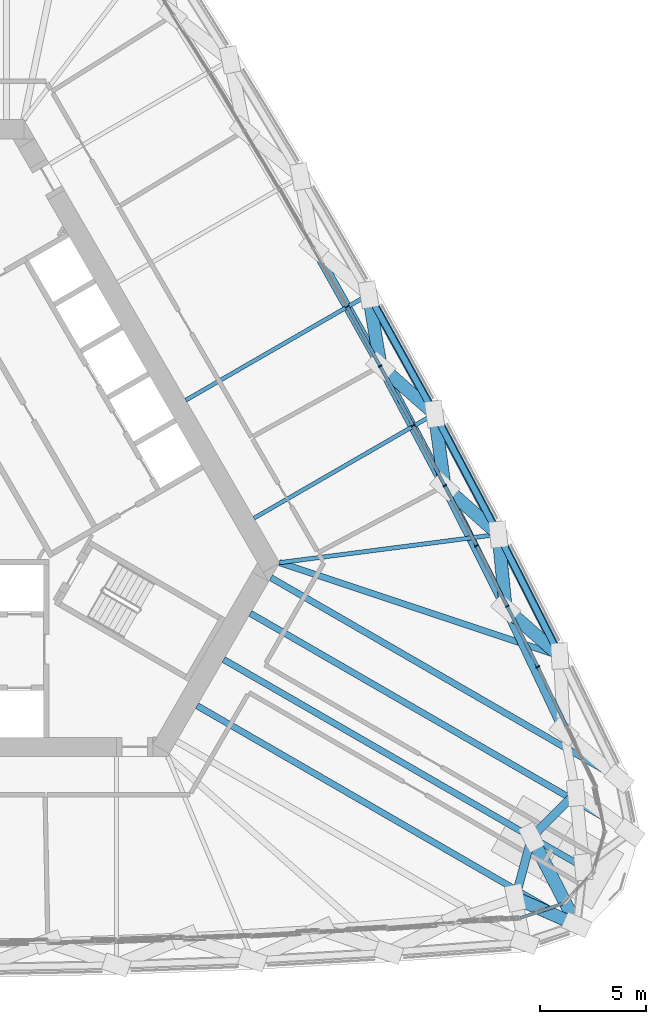
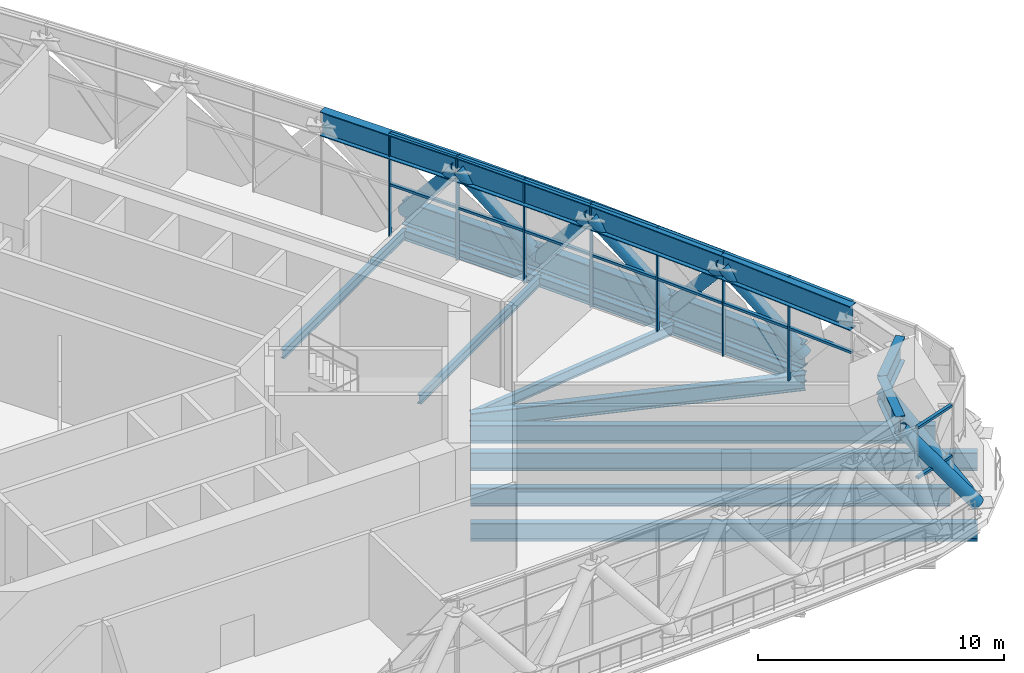
# One storey, part 6 of 43: 40 members, 11 beams, 2 elements without a shape of their own.
"""IFC4 building model written with IfcOpenShell, lengths in metres."""

from ifc_helpers import new_model, si_unit, direction, frame, origin, origin_2d, place, context, subcontext, project, spatial, rectangle, hollow_circle, i_section, extrude, material, material_profile, profile_set, type_object, element, aggregate, save


model = new_model("IFC4")

# Units and contexts
model_context = context("Model", 3, precision=1e-05, world=origin(), true_north=direction((0.0, 1.0)))
body_context = subcontext(model_context, "Body", "Model", "MODEL_VIEW")
ifc_project = project(units=[si_unit("LENGTHUNIT", "METRE"), si_unit("AREAUNIT", "SQUARE_METRE"), si_unit("VOLUMEUNIT", "CUBIC_METRE"), si_unit("PLANEANGLEUNIT", "RADIAN"), si_unit("MASSUNIT", "GRAM", prefix="KILO")], contexts=[model_context])

# Site, building, storey
site_placement = place(None, origin())
site = spatial("IfcSite", under=ifc_project, at=site_placement, CompositionType="ELEMENT")
building_placement = place(site_placement, origin())
building = spatial("IfcBuilding", under=site, at=building_placement, Name="Mestral Congress Tower", CompositionType="ELEMENT")
storey_placement = place(building_placement, frame((0.0, 0.0, 78.300048828125)))
storey = spatial("IfcBuildingStorey", under=building, at=storey_placement, Name="L18", CompositionType="ELEMENT", Elevation=78.300048828125)

# Members
ifc_material_1 = material(Name="Steel S355", Category="steel")
ifc_material_profile_1 = material_profile(ifc_material_1, i_section(OverallWidth=0.39990234375, OverallDepth=1.199951171875, WebThickness=0.02001953125, FlangeThickness=0.0400390625, FilletRadius=0.010009765625, at=origin_2d()), Name="WPG 1200")
ifc_profile_set_1 = profile_set([ifc_material_profile_1], Name="Steel S355")
member_type_1 = type_object("IfcMemberType", Name="Belt chord WPG 1200 S355", PredefinedType="CHORD", material=ifc_profile_set_1)
member_1_placement = place(storey_placement, frame((30.421142578125, -8.28369140625, 0.599853515625), z_axis=(-0.451237351709, 0.892403973783, 0.0), x_axis=(-0.892403973783, -0.451237351709, 0.0)))
element("IfcMember", 1, at=member_1_placement, inside=storey, type_object=member_type_1, Name="MB-L18-BC1-E01", PredefinedType="CHORD", context=body_context, shape_type="SweptSolid", body=[
    extrude(i_section(OverallWidth=0.39990234375, OverallDepth=1.199951171875, WebThickness=0.02001953125, FlangeThickness=0.0400390625, FilletRadius=0.010009765625, at=origin_2d()), origin(), (0.0, 0.0, 1.0), 6.400146484375),
])
for number, where, z_axis, x_axis, name in (
    (2, (27.533203125, -2.572265625, 0.599853515625), (-0.467649333519, 0.883914080021, 0.0), (-0.883914080021, -0.467649333519, 0.0), "MB-L18-BC1-E02"),
    (3, (24.540283203125, 3.084716796875, 0.599853515625), (-0.483909115865, 0.875118259199, 0.0), (-0.875118259199, -0.483909115865, 0.0), "MB-L18-BC1-E03"),
):
    element("IfcMember", number, at=place(storey_placement, frame(where, z_axis=z_axis, x_axis=x_axis)), inside=storey, type_object=member_type_1, Name=name, PredefinedType="CHORD", context=body_context, shape_type="SweptSolid", body=[
        extrude(i_section(OverallWidth=0.39990234375, OverallDepth=1.199951171875, WebThickness=0.02001953125, FlangeThickness=0.0400390625, FilletRadius=0.010009765625, at=origin_2d()), origin(), (0.0, 0.0, 1.0), 6.39990234375),
    ])
member_2_placement = place(storey_placement, frame((28.331298828125, -19.642822265625, 4.550048828125), z_axis=(0.260071585357, 0.96558933843, 0.0), x_axis=(-0.96558933843, 0.260071585357, 0.0)))
element("IfcMember", 4, at=member_2_placement, inside=storey, type_object=member_type_1, Name="MB-L18-TC1-SE1", PredefinedType="CHORD", context=body_context, shape_type="SweptSolid", body=[
    extrude(i_section(OverallWidth=0.39990234375, OverallDepth=1.199951171875, WebThickness=0.02001953125, FlangeThickness=0.0400390625, FilletRadius=0.010009765625, at=origin_2d()), origin(), (0.0, 0.0, 1.0), 2.94482421875),
])
member_3_placement = place(storey_placement, frame((29.09716796875, -16.79931640625, 4.550048828125), z_axis=(0.706152774218, 0.708059502771, 0.0), x_axis=(-0.708059502771, 0.706152774218, 0.0)))
element("IfcMember", 5, at=member_3_placement, inside=storey, type_object=member_type_1, Name="MB-L18-TC1-SE", PredefinedType="CHORD", context=body_context, shape_type="SweptSolid", body=[
    extrude(i_section(OverallWidth=0.39990234375, OverallDepth=1.199951171875, WebThickness=0.02001953125, FlangeThickness=0.0400390625, FilletRadius=0.010009765625, at=origin_2d()), origin(), (0.0, 0.0, 1.0), 2.945068359375),
])
member_4_placement = place(storey_placement, frame((30.618896484375, -11.83935546875, 4.550048828125), z_axis=(-0.427513966881, 0.904008743388, 0.0), x_axis=(-0.904008743388, -0.427513966881, 0.0)))
element("IfcMember", 6, at=member_4_placement, inside=storey, type_object=member_type_1, Name="MB-L18-TC1-E00", PredefinedType="CHORD", context=body_context, shape_type="SweptSolid", body=[
    extrude(i_section(OverallWidth=0.39990234375, OverallDepth=1.199951171875, WebThickness=0.02001953125, FlangeThickness=0.0400390625, FilletRadius=0.010009765625, at=origin_2d()), origin(), (0.0, 0.0, 1.0), 6.39990234375),
])
member_5_placement = place(storey_placement, frame((27.8828125, -6.0537109375, 4.550048828125), z_axis=(-0.448555936264, 0.893754760571, 0.0), x_axis=(-0.893754760571, -0.448555936264, 0.0)))
element("IfcMember", 7, at=member_5_placement, inside=storey, type_object=member_type_1, Name="MB-L18-TC1-E01", PredefinedType="CHORD", context=body_context, shape_type="SweptSolid", body=[
    extrude(i_section(OverallWidth=0.39990234375, OverallDepth=1.199951171875, WebThickness=0.02001953125, FlangeThickness=0.0400390625, FilletRadius=0.010009765625, at=origin_2d()), origin(), (0.0, 0.0, 1.0), 6.399658203125),
])
for number, where, z_axis, x_axis, name in (
    (8, (25.01220703125, -0.333984375, 4.550048828125), (-0.469292819228, 0.88304260929, 0.0), (-0.88304260929, -0.469292819228, 0.0), "MB-L18-TC1-E02"),
    (9, (22.0087890625, 5.3173828125, 4.550048828125), (-0.489860914929, 0.871800598775, 0.0), (-0.871800598775, -0.489860914929, 0.0), "MB-L18-TC1-E03"),
):
    element("IfcMember", number, at=place(storey_placement, frame(where, z_axis=z_axis, x_axis=x_axis)), inside=storey, type_object=member_type_1, Name=name, PredefinedType="CHORD", context=body_context, shape_type="SweptSolid", body=[
        extrude(i_section(OverallWidth=0.39990234375, OverallDepth=1.199951171875, WebThickness=0.02001953125, FlangeThickness=0.0400390625, FilletRadius=0.010009765625, at=origin_2d()), origin(), (0.0, 0.0, 1.0), 6.39990234375),
    ])
ifc_material_profile_2 = material_profile(ifc_material_1, hollow_circle(Radius=0.304931640625, WallThickness=0.02490234375, at=origin_2d()), Name="CHS 610x25")
ifc_profile_set_2 = profile_set([ifc_material_profile_2], Name="Steel S355")
member_type_2 = type_object("IfcMemberType", Name="Belt diagonal CHS 610x25 S355", PredefinedType="BRACE", material=ifc_profile_set_2)
member_6_placement = place(storey_placement, frame((31.210205078125, -20.90966796875, 0.599853515625), z_axis=(-0.570141456474, 0.250887382772, 0.782300607679), x_axis=(-0.402772429864, -0.915300152814, 0.0)))
element("IfcMember", 10, at=member_6_placement, inside=storey, type_object=member_type_2, Name="MD-L18-BD1-SE1.SE1", PredefinedType="BRACE", context=body_context, shape_type="SweptSolid", body=[
    extrude(hollow_circle(Radius=0.304931640625, WallThickness=0.02490234375, at=origin_2d()), origin(), (0.0, 0.0, 1.0), 5.049560546875),
])
member_7_placement = place(storey_placement, frame((31.210205078125, -20.90966796875, 0.599853515625), z_axis=(-0.347550474272, 0.676066988429, 0.649724630124), x_axis=(-0.889363293595, -0.457201194231, 0.0)))
element("IfcMember", 11, at=member_7_placement, inside=storey, type_object=member_type_2, Name="MD-L18-BD1-SE1.SE", PredefinedType="BRACE", context=body_context, shape_type="SweptSolid", body=[
    extrude(hollow_circle(Radius=0.304931640625, WallThickness=0.02490234375, at=origin_2d()), origin(), (0.0, 0.0, 1.0), 6.079833984375),
])
member_8_placement = place(storey_placement, frame((30.421142578125, -8.28369140625, 0.599853515625), z_axis=(-0.488321246679, 0.429001276058, 0.759934382156), x_axis=(-0.660002170291, -0.751263692196, 0.0)))
element("IfcMember", 12, at=member_8_placement, inside=storey, type_object=member_type_2, Name="MD-L18-BD1-E01.E01", PredefinedType="BRACE", context=body_context, shape_type="SweptSolid", body=[
    extrude(hollow_circle(Radius=0.304931640625, WallThickness=0.02490234375, at=origin_2d()), origin(), (0.0, 0.0, 1.0), 5.197998046875),
])
member_9_placement = place(storey_placement, frame((27.533203125, -2.572265625, 0.599853515625), z_axis=(0.0662515371, -0.65973946861, 0.748568345169), x_axis=(0.994995653206, 0.099918217068, 0.0)))
element("IfcMember", 13, at=member_9_placement, inside=storey, type_object=member_type_2, Name="MD-L18-BD1-E02.E01", PredefinedType="BRACE", context=body_context, shape_type="SweptSolid", body=[
    extrude(hollow_circle(Radius=0.304931640625, WallThickness=0.02490234375, at=origin_2d()), origin(), (0.0, 0.0, 1.0), 5.277099609375),
])
member_10_placement = place(storey_placement, frame((27.533203125, -2.572265625, 0.599853515625), z_axis=(-0.485441380321, 0.431001992522, 0.760647059229), x_axis=(-0.663932214118, -0.747792762105, 0.0)))
element("IfcMember", 14, at=member_10_placement, inside=storey, type_object=member_type_2, Name="MD-L18-BD1-E02.E02", PredefinedType="BRACE", context=body_context, shape_type="SweptSolid", body=[
    extrude(hollow_circle(Radius=0.304931640625, WallThickness=0.02490234375, at=origin_2d()), origin(), (0.0, 0.0, 1.0), 5.193115234375),
])
member_11_placement = place(storey_placement, frame((24.540283203125, 3.084716796875, 0.599853515625), z_axis=(0.089968998586, -0.65175162297, 0.7530772877), x_axis=(0.990606264999, 0.136745119635, 0.0)))
element("IfcMember", 15, at=member_11_placement, inside=storey, type_object=member_type_2, Name="MD-L18-BD1-E03.E02", PredefinedType="BRACE", context=body_context, shape_type="SweptSolid", body=[
    extrude(hollow_circle(Radius=0.304931640625, WallThickness=0.02490234375, at=origin_2d()), origin(), (0.0, 0.0, 1.0), 5.245361328125),
])
member_12_placement = place(storey_placement, frame((24.540283203125, 3.084716796875, 0.599853515625), z_axis=(-0.487210607428, 0.429698235599, 0.760253411918), x_axis=(-0.661454164906, -0.74998559168, 0.0)))
element("IfcMember", 16, at=member_12_placement, inside=storey, type_object=member_type_2, Name="MD-L18-BD1-E03.E03", PredefinedType="BRACE", context=body_context, shape_type="SweptSolid", body=[
    extrude(hollow_circle(Radius=0.304931640625, WallThickness=0.02490234375, at=origin_2d()), origin(), (0.0, 0.0, 1.0), 5.19580078125),
])
member_13_placement = place(storey_placement, frame((21.443359375, 8.685302734375, 0.599853515625), z_axis=(0.108283630495, -0.644979569376, 0.756489266582), x_axis=(0.986198081795, 0.165569754073, 0.0)))
element("IfcMember", 17, at=member_13_placement, inside=storey, type_object=member_type_2, Name="MD-L18-BD1-E04.E03", PredefinedType="BRACE", context=body_context, shape_type="SweptSolid", body=[
    extrude(hollow_circle(Radius=0.304931640625, WallThickness=0.02490234375, at=origin_2d()), origin(), (0.0, 0.0, 1.0), 5.2216796875),
])

# Curtain wall, members
ifc_material_2 = material(Name="Clear low-emissivity double glazing", Category="glass")
curtain_wall_type = type_object("IfcCurtainWallType", Name="Facade refuge band screen", PredefinedType="USERDEFINED", material=ifc_material_2)
placement = place(storey_placement, origin())
curtain_wall_1 = element("IfcCurtainWall", 18, at=placement, inside=storey, type_object=curtain_wall_type, Name="Facade refuge band screen face 2", ObjectType="CURTAIN WALL", PredefinedType="USERDEFINED")
ifc_material_3 = material(Name="Anodised aluminium", Category="aluminium")
ifc_material_profile_3 = material_profile(ifc_material_3, rectangle(XDim=0.179931640625, YDim=0.06005859375, at=origin_2d()), Name="CW3 mullion 180 x 60")
ifc_profile_set_3 = profile_set([ifc_material_profile_3], Name="Anodised aluminium")
member_type_3 = type_object("IfcMemberType", Name="Facade refuge band screen mullion", PredefinedType="MULLION", material=ifc_profile_set_3)
member_14_placement = place(storey_placement, frame((29.389892578125, -8.793212890625, 0.0), z_axis=(0.0, 0.0, 1.0), x_axis=(0.896542101273, 0.442958531519, 0.0)))
member_14 = element("IfcMember", 19, at=member_14_placement, type_object=member_type_3, Name="Facade refuge band screen mullion", PredefinedType="MULLION", context=body_context, shape_type="SweptSolid", body=[
    extrude(rectangle(XDim=0.179931640625, YDim=0.06005859375, at=origin_2d()), origin(), (0.0, 0.0, 1.0), 5.14990234375),
])
member_15_placement = place(storey_placement, frame((27.950927734375, -5.947021484375, 0.0), z_axis=(0.0, 0.0, 1.0), x_axis=(0.892409477977, 0.451226465998, 0.0)))
member_15 = element("IfcMember", 20, at=member_15_placement, type_object=member_type_3, Name="Facade refuge band screen mullion", PredefinedType="MULLION", context=body_context, shape_type="SweptSolid", body=[
    extrude(rectangle(XDim=0.179931640625, YDim=0.06005859375, at=origin_2d()), origin(), (0.0, 0.0, 1.0), 5.14990234375),
])
member_16_placement = place(storey_placement, frame((26.51171875, -3.1005859375, 0.0), z_axis=(0.0, 0.0, 1.0), x_axis=(0.88820060961, 0.4594558489, 0.0)))
member_16 = element("IfcMember", 21, at=member_16_placement, type_object=member_type_3, Name="Facade refuge band screen mullion", PredefinedType="MULLION", context=body_context, shape_type="SweptSolid", body=[
    extrude(rectangle(XDim=0.179931640625, YDim=0.06005859375, at=origin_2d()), origin(), (0.0, 0.0, 1.0), 5.14990234375),
])
member_17_placement = place(storey_placement, frame((25.020263671875, -0.281494140625, 0.0), z_axis=(0.0, 0.0, 1.0), x_axis=(0.883915855767, 0.467645977127, 0.0)))
member_17 = element("IfcMember", 22, at=member_17_placement, type_object=member_type_3, Name="Facade refuge band screen mullion", PredefinedType="MULLION", context=body_context, shape_type="SweptSolid", body=[
    extrude(rectangle(XDim=0.179931640625, YDim=0.06005859375, at=origin_2d()), origin(), (0.0, 0.0, 1.0), 5.14990234375),
])
member_18_placement = place(storey_placement, frame((23.52880859375, 2.53759765625, 0.0), z_axis=(0.0, 0.0, 1.0), x_axis=(0.879555582526, 0.475796150937, 0.0)))
member_18 = element("IfcMember", 23, at=member_18_placement, type_object=member_type_3, Name="Facade refuge band screen mullion", PredefinedType="MULLION", context=body_context, shape_type="SweptSolid", body=[
    extrude(rectangle(XDim=0.179931640625, YDim=0.06005859375, at=origin_2d()), origin(), (0.0, 0.0, 1.0), 5.14990234375),
])
member_19_placement = place(storey_placement, frame((21.985595703125, 5.32861328125, 0.0), z_axis=(0.0, 0.0, 1.0), x_axis=(0.875120162417, 0.483905674001, 0.0)))
member_19 = element("IfcMember", 24, at=member_19_placement, type_object=member_type_3, Name="Facade refuge band screen mullion", PredefinedType="MULLION", context=body_context, shape_type="SweptSolid", body=[
    extrude(rectangle(XDim=0.179931640625, YDim=0.06005859375, at=origin_2d()), origin(), (0.0, 0.0, 1.0), 5.14990234375),
])
member_20_placement = place(storey_placement, frame((20.442138671875, 8.11962890625, 0.0), z_axis=(0.0, 0.0, 1.0), x_axis=(0.870609974391, 0.491973853463, 0.0)))
member_20 = element("IfcMember", 25, at=member_20_placement, type_object=member_type_3, Name="Facade refuge band screen mullion", PredefinedType="MULLION", context=body_context, shape_type="SweptSolid", body=[
    extrude(rectangle(XDim=0.179931640625, YDim=0.06005859375, at=origin_2d()), origin(), (0.0, 0.0, 1.0), 5.14990234375),
])
ifc_material_profile_4 = material_profile(ifc_material_3, rectangle(XDim=0.14990234375, YDim=0.1201171875, at=origin_2d()), Name="CW3 transom 150 x 120")
ifc_profile_set_4 = profile_set([ifc_material_profile_4], Name="Anodised aluminium")
member_type_4 = type_object("IfcMemberType", Name="Facade refuge band screen transom", PredefinedType="USERDEFINED", material=ifc_profile_set_4)
member_21_placement = place(storey_placement, frame((30.734130859375, -11.577880859375, 2.599853515625), z_axis=(-0.434668799446, 0.900590381244, 0.0), x_axis=(-0.900590381244, -0.434668799446, 0.0)))
member_21 = element("IfcMember", 26, at=member_21_placement, type_object=member_type_4, Name="Facade refuge band screen transom", ObjectType="TRANSOM", PredefinedType="USERDEFINED", context=body_context, shape_type="SweptSolid", body=[
    extrude(rectangle(XDim=0.14990234375, YDim=0.1201171875, at=origin_2d()), origin(), (0.0, 0.0, 1.0), 3.062255859375),
])
member_22_placement = place(storey_placement, frame((30.734130859375, -11.577880859375, 5.08984375), z_axis=(-0.434668799446, 0.900590381244, 0.0), x_axis=(-0.900590381244, -0.434668799446, 0.0)))
member_22 = element("IfcMember", 27, at=member_22_placement, type_object=member_type_4, Name="Facade refuge band screen transom", ObjectType="TRANSOM", PredefinedType="USERDEFINED", context=body_context, shape_type="SweptSolid", body=[
    extrude(rectangle(XDim=0.14990234375, YDim=0.1201171875, at=origin_2d()), origin(), (0.0, 0.0, 1.0), 3.062255859375),
])
member_23_placement = place(storey_placement, frame((29.37646484375, -8.766357421875, 2.599853515625), z_axis=(-0.451234602971, 0.892405363656, 0.0), x_axis=(-0.892405363656, -0.451234602971, 0.0)))
member_23 = element("IfcMember", 28, at=member_23_placement, type_object=member_type_4, Name="Facade refuge band screen transom", ObjectType="TRANSOM", PredefinedType="USERDEFINED", context=body_context, shape_type="SweptSolid", body=[
    extrude(rectangle(XDim=0.14990234375, YDim=0.1201171875, at=origin_2d()), origin(), (0.0, 0.0, 1.0), 3.12939453125),
])
member_24_placement = place(storey_placement, frame((29.37646484375, -8.766357421875, 5.08984375), z_axis=(-0.451234602971, 0.892405363656, 0.0), x_axis=(-0.892405363656, -0.451234602971, 0.0)))
member_24 = element("IfcMember", 29, at=member_24_placement, type_object=member_type_4, Name="Facade refuge band screen transom", ObjectType="TRANSOM", PredefinedType="USERDEFINED", context=body_context, shape_type="SweptSolid", body=[
    extrude(rectangle(XDim=0.14990234375, YDim=0.1201171875, at=origin_2d()), origin(), (0.0, 0.0, 1.0), 3.12939453125),
])
member_25_placement = place(storey_placement, frame((27.9375, -5.920166015625, 2.599853515625), z_axis=(-0.451234602971, 0.892405363656, 0.0), x_axis=(-0.892405363656, -0.451234602971, 0.0)))
member_25 = element("IfcMember", 30, at=member_25_placement, type_object=member_type_4, Name="Facade refuge band screen transom", ObjectType="TRANSOM", PredefinedType="USERDEFINED", context=body_context, shape_type="SweptSolid", body=[
    extrude(rectangle(XDim=0.14990234375, YDim=0.1201171875, at=origin_2d()), origin(), (0.0, 0.0, 1.0), 3.12939453125),
])
member_26_placement = place(storey_placement, frame((27.9375, -5.920166015625, 5.08984375), z_axis=(-0.451234602971, 0.892405363656, 0.0), x_axis=(-0.892405363656, -0.451234602971, 0.0)))
member_26 = element("IfcMember", 31, at=member_26_placement, type_object=member_type_4, Name="Facade refuge band screen transom", ObjectType="TRANSOM", PredefinedType="USERDEFINED", context=body_context, shape_type="SweptSolid", body=[
    extrude(rectangle(XDim=0.14990234375, YDim=0.1201171875, at=origin_2d()), origin(), (0.0, 0.0, 1.0), 3.12939453125),
])
member_27_placement = place(storey_placement, frame((26.497802734375, -3.07421875, 2.599853515625), z_axis=(-0.46769056671, 0.88389226369, 0.0), x_axis=(-0.88389226369, -0.46769056671, 0.0)))
member_27 = element("IfcMember", 32, at=member_27_placement, type_object=member_type_4, Name="Facade refuge band screen transom", ObjectType="TRANSOM", PredefinedType="USERDEFINED", context=body_context, shape_type="SweptSolid", body=[
    extrude(rectangle(XDim=0.14990234375, YDim=0.1201171875, at=origin_2d()), origin(), (0.0, 0.0, 1.0), 3.12939453125),
])
member_28_placement = place(storey_placement, frame((26.497802734375, -3.07421875, 5.08984375), z_axis=(-0.46769056671, 0.88389226369, 0.0), x_axis=(-0.88389226369, -0.46769056671, 0.0)))
member_28 = element("IfcMember", 33, at=member_28_placement, type_object=member_type_4, Name="Facade refuge band screen transom", ObjectType="TRANSOM", PredefinedType="USERDEFINED", context=body_context, shape_type="SweptSolid", body=[
    extrude(rectangle(XDim=0.14990234375, YDim=0.1201171875, at=origin_2d()), origin(), (0.0, 0.0, 1.0), 3.12939453125),
])
member_29_placement = place(storey_placement, frame((25.00634765625, -0.255126953125, 2.599853515625), z_axis=(-0.467629614163, 0.88392451259, 0.0), x_axis=(-0.88392451259, -0.467629614163, 0.0)))
member_29 = element("IfcMember", 34, at=member_29_placement, type_object=member_type_4, Name="Facade refuge band screen transom", ObjectType="TRANSOM", PredefinedType="USERDEFINED", context=body_context, shape_type="SweptSolid", body=[
    extrude(rectangle(XDim=0.14990234375, YDim=0.1201171875, at=origin_2d()), origin(), (0.0, 0.0, 1.0), 3.12939453125),
])
member_30_placement = place(storey_placement, frame((25.00634765625, -0.255126953125, 5.08984375), z_axis=(-0.467629614163, 0.88392451259, 0.0), x_axis=(-0.88392451259, -0.467629614163, 0.0)))
member_30 = element("IfcMember", 35, at=member_30_placement, type_object=member_type_4, Name="Facade refuge band screen transom", ObjectType="TRANSOM", PredefinedType="USERDEFINED", context=body_context, shape_type="SweptSolid", body=[
    extrude(rectangle(XDim=0.14990234375, YDim=0.1201171875, at=origin_2d()), origin(), (0.0, 0.0, 1.0), 3.12939453125),
])
member_31_placement = place(storey_placement, frame((23.514404296875, 2.563720703125, 2.599853515625), z_axis=(-0.483933011927, 0.875105045105, 0.0), x_axis=(-0.875105045105, -0.483933011927, 0.0)))
member_31 = element("IfcMember", 36, at=member_31_placement, type_object=member_type_4, Name="Facade refuge band screen transom", ObjectType="TRANSOM", PredefinedType="USERDEFINED", context=body_context, shape_type="SweptSolid", body=[
    extrude(rectangle(XDim=0.14990234375, YDim=0.1201171875, at=origin_2d()), origin(), (0.0, 0.0, 1.0), 3.12939453125),
])
member_32_placement = place(storey_placement, frame((23.514404296875, 2.563720703125, 5.08984375), z_axis=(-0.483933011927, 0.875105045105, 0.0), x_axis=(-0.875105045105, -0.483933011927, 0.0)))
member_32 = element("IfcMember", 37, at=member_32_placement, type_object=member_type_4, Name="Facade refuge band screen transom", ObjectType="TRANSOM", PredefinedType="USERDEFINED", context=body_context, shape_type="SweptSolid", body=[
    extrude(rectangle(XDim=0.14990234375, YDim=0.1201171875, at=origin_2d()), origin(), (0.0, 0.0, 1.0), 3.12939453125),
])
member_33_placement = place(storey_placement, frame((21.970947265625, 5.354736328125, 2.599853515625), z_axis=(-0.48387326323, 0.875138083465, 0.0), x_axis=(-0.875138083465, -0.48387326323, 0.0)))
member_33 = element("IfcMember", 38, at=member_33_placement, type_object=member_type_4, Name="Facade refuge band screen transom", ObjectType="TRANSOM", PredefinedType="USERDEFINED", context=body_context, shape_type="SweptSolid", body=[
    extrude(rectangle(XDim=0.14990234375, YDim=0.1201171875, at=origin_2d()), origin(), (0.0, 0.0, 1.0), 3.129150390625),
])
member_34_placement = place(storey_placement, frame((21.970947265625, 5.354736328125, 5.08984375), z_axis=(-0.48387326323, 0.875138083465, 0.0), x_axis=(-0.875138083465, -0.48387326323, 0.0)))
member_34 = element("IfcMember", 39, at=member_34_placement, type_object=member_type_4, Name="Facade refuge band screen transom", ObjectType="TRANSOM", PredefinedType="USERDEFINED", context=body_context, shape_type="SweptSolid", body=[
    extrude(rectangle(XDim=0.14990234375, YDim=0.1201171875, at=origin_2d()), origin(), (0.0, 0.0, 1.0), 3.129150390625),
])
aggregate(curtain_wall_1, [member_14, member_15, member_16, member_17, member_18, member_19, member_20, member_21, member_22, member_23, member_24, member_25, member_26, member_27, member_28, member_29, member_30, member_31, member_32, member_33, member_34])

curtain_wall_2 = element("IfcCurtainWall", 40, at=placement, inside=storey, type_object=curtain_wall_type, Name="Facade refuge band screen corner 1", ObjectType="CURTAIN WALL", PredefinedType="USERDEFINED")
member_35_placement = place(storey_placement, frame((28.56591796875, -20.585205078125, 2.599853515625), z_axis=(0.947897972569, 0.318574062975, 0.0), x_axis=(-0.318574062975, 0.947897972569, 0.0)))
member_35 = element("IfcMember", 41, at=member_35_placement, type_object=member_type_4, Name="Facade refuge band screen transom", ObjectType="TRANSOM", PredefinedType="USERDEFINED", context=body_context, shape_type="SweptSolid", body=[
    extrude(rectangle(XDim=0.14990234375, YDim=0.1201171875, at=origin_2d()), origin(), (0.0, 0.0, 1.0), 2.090576171875),
])
member_36_placement = place(storey_placement, frame((28.56591796875, -20.585205078125, 5.08984375), z_axis=(0.947897972569, 0.318574062975, 0.0), x_axis=(-0.318574062975, 0.947897972569, 0.0)))
member_36 = element("IfcMember", 42, at=member_36_placement, type_object=member_type_4, Name="Facade refuge band screen transom", ObjectType="TRANSOM", PredefinedType="USERDEFINED", context=body_context, shape_type="SweptSolid", body=[
    extrude(rectangle(XDim=0.14990234375, YDim=0.1201171875, at=origin_2d()), origin(), (0.0, 0.0, 1.0), 2.090576171875),
])
aggregate(curtain_wall_2, [member_35, member_36])

# Beams
ifc_material_profile_5 = material_profile(ifc_material_1, i_section(OverallWidth=0.300048828125, OverallDepth=0.800048828125, WebThickness=0.017578125, FlangeThickness=0.032958984375, FilletRadius=0.030029296875, at=origin_2d()), Name="HEB 800")
ifc_profile_set_5 = profile_set([ifc_material_profile_5], Name="Steel S355")
beam_type_1 = type_object("IfcBeamType", Name="Floor beam HEB 800 S355", PredefinedType="BEAM", material=ifc_profile_set_5)
beam_1_placement = place(storey_placement, frame((30.421142578125, -8.28369140625, -0.699951171875), z_axis=(-0.948734333606, 0.316074618146, 0.0), x_axis=(-0.316074618146, -0.948734333606, 0.0)))
element("IfcBeam", 43, at=beam_1_placement, inside=storey, type_object=beam_type_1, Name="BM-L18-RB1-E01", PredefinedType="BEAM", context=body_context, shape_type="SweptSolid", body=[
    extrude(i_section(OverallWidth=0.300048828125, OverallDepth=0.800048828125, WebThickness=0.017578125, FlangeThickness=0.032958984375, FilletRadius=0.030029296875, at=origin_2d()), origin(), (0.0, 0.0, 1.0), 13.869384765625),
])
ifc_material_profile_6 = material_profile(ifc_material_1, i_section(OverallWidth=0.300048828125, OverallDepth=0.89990234375, WebThickness=0.0185546875, FlangeThickness=0.034912109375, FilletRadius=0.030029296875, at=origin_2d()), Name="HEB 900")
ifc_profile_set_6 = profile_set([ifc_material_profile_6], Name="Steel S355")
beam_type_2 = type_object("IfcBeamType", Name="Floor beam HEB 900 S355", PredefinedType="BEAM", material=ifc_profile_set_6)
beam_2_placement = place(storey_placement, frame((31.210205078125, -20.90966796875, -0.75), z_axis=(-0.866026584559, 0.499997954832, 0.0), x_axis=(-0.499997954832, -0.866026584559, 0.0)))
element("IfcBeam", 44, at=beam_2_placement, inside=storey, type_object=beam_type_2, Name="BM-L18-RB1-SE1", PredefinedType="BEAM", context=body_context, shape_type="SweptSolid", body=[
    extrude(i_section(OverallWidth=0.300048828125, OverallDepth=0.89990234375, WebThickness=0.0185546875, FlangeThickness=0.034912109375, FilletRadius=0.030029296875, at=origin_2d()), origin(), (0.0, 0.0, 1.0), 20.58349609375),
])
beam_3_placement = place(storey_placement, frame((31.5224609375, -18.199462890625, -0.75), z_axis=(-0.866026289775, 0.499998465416, 0.0), x_axis=(-0.499998465416, -0.866026289775, 0.0)))
element("IfcBeam", 45, at=beam_3_placement, inside=storey, type_object=beam_type_2, Name="BM-L18-RB1-SE", PredefinedType="BEAM", context=body_context, shape_type="SweptSolid", body=[
    extrude(i_section(OverallWidth=0.300048828125, OverallDepth=0.89990234375, WebThickness=0.0185546875, FlangeThickness=0.034912109375, FilletRadius=0.030029296875, at=origin_2d()), origin(), (0.0, 0.0, 1.0), 19.4990234375),
])
beam_4_placement = place(storey_placement, frame((33.71337890625, -16.573974609375, -0.75), z_axis=(-0.866026584559, 0.499997954832, 0.0), x_axis=(-0.499997954832, -0.866026584559, 0.0)))
element("IfcBeam", 46, at=beam_4_placement, inside=storey, type_object=beam_type_2, Name="BM-L18-RB1-SE3", PredefinedType="BEAM", context=body_context, shape_type="SweptSolid", body=[
    extrude(i_section(OverallWidth=0.300048828125, OverallDepth=0.89990234375, WebThickness=0.0185546875, FlangeThickness=0.034912109375, FilletRadius=0.030029296875, at=origin_2d()), origin(), (0.0, 0.0, 1.0), 20.58349609375),
])
beam_5_placement = place(storey_placement, frame((33.202880859375, -14.04736328125, -0.75), z_axis=(-0.86603009716, 0.499991870746, 0.0), x_axis=(-0.499991870746, -0.86603009716, 0.0)))
element("IfcBeam", 47, at=beam_5_placement, inside=storey, type_object=beam_type_2, Name="BM-L18-RB1-E00", PredefinedType="BEAM", context=body_context, shape_type="SweptSolid", body=[
    extrude(i_section(OverallWidth=0.300048828125, OverallDepth=0.89990234375, WebThickness=0.0185546875, FlangeThickness=0.034912109375, FilletRadius=0.030029296875, at=origin_2d()), origin(), (0.0, 0.0, 1.0), 18.878173828125),
])
ifc_material_profile_7 = material_profile(ifc_material_1, i_section(OverallWidth=0.18994140625, OverallDepth=0.449951171875, WebThickness=0.009521484375, FlangeThickness=0.0146484375, FilletRadius=0.02099609375, at=origin_2d()), Name="IPE 450")
ifc_profile_set_7 = profile_set([ifc_material_profile_7], Name="Steel S355")
beam_type_3 = type_object("IfcBeamType", Name="Floor beam IPE 450 S355", PredefinedType="BEAM", material=ifc_profile_set_7)
beam_6_placement = place(storey_placement, frame((24.540283203125, 3.084716796875, -0.525146484375), z_axis=(-0.866025782648, -0.499999343788, 0.0), x_axis=(0.499999343788, -0.866025782648, 0.0)))
element("IfcBeam", 48, at=beam_6_placement, inside=storey, type_object=beam_type_3, Name="BM-L18-RB1-E03", PredefinedType="BEAM", context=body_context, shape_type="SweptSolid", body=[
    extrude(i_section(OverallWidth=0.18994140625, OverallDepth=0.449951171875, WebThickness=0.009521484375, FlangeThickness=0.0146484375, FilletRadius=0.02099609375, at=origin_2d()), origin(), (0.0, 0.0, 1.0), 9.794921875),
])
beam_7_placement = place(storey_placement, frame((21.443359375, 8.685302734375, -0.525146484375), z_axis=(-0.866024815816, -0.500001018391, 0.0), x_axis=(0.500001018391, -0.866024815816, 0.0)))
element("IfcBeam", 49, at=beam_7_placement, inside=storey, type_object=beam_type_3, Name="BM-L18-RB1-E04", PredefinedType="BEAM", context=body_context, shape_type="SweptSolid", body=[
    extrude(i_section(OverallWidth=0.18994140625, OverallDepth=0.449951171875, WebThickness=0.009521484375, FlangeThickness=0.0146484375, FilletRadius=0.02099609375, at=origin_2d()), origin(), (0.0, 0.0, 1.0), 9.9130859375),
])
ifc_material_profile_8 = material_profile(ifc_material_1, i_section(OverallWidth=0.199951171875, OverallDepth=0.5, WebThickness=0.01025390625, FlangeThickness=0.01611328125, FilletRadius=0.02099609375, at=origin_2d()), Name="IPE 500")
ifc_profile_set_8 = profile_set([ifc_material_profile_8], Name="Steel S355")
beam_type_4 = type_object("IfcBeamType", Name="Floor beam IPE 500 S355", PredefinedType="BEAM", material=ifc_profile_set_8)
beam_8_placement = place(storey_placement, frame((27.533203125, -2.572265625, -0.550048828125), z_axis=(-0.991748305255, -0.128200230198, 0.0), x_axis=(0.128200230198, -0.991748305255, 0.0)))
element("IfcBeam", 50, at=beam_8_placement, inside=storey, type_object=beam_type_4, Name="BM-L18-RB1-E02", PredefinedType="BEAM", context=body_context, shape_type="SweptSolid", body=[
    extrude(i_section(OverallWidth=0.199951171875, OverallDepth=0.5, WebThickness=0.01025390625, FlangeThickness=0.01611328125, FilletRadius=0.02099609375, at=origin_2d()), origin(), (0.0, 0.0, 1.0), 10.35595703125),
])
ifc_material_profile_9 = material_profile(ifc_material_1, i_section(OverallWidth=0.300048828125, OverallDepth=0.489990234375, WebThickness=0.011962890625, FlangeThickness=0.02294921875, FilletRadius=0.027099609375, at=origin_2d()), Name="HEA 500")
ifc_profile_set_9 = profile_set([ifc_material_profile_9], Name="Steel S355")
beam_type_5 = type_object("IfcBeamType", Name="Spandrel beam HEA 500 S355", PredefinedType="BEAM", material=ifc_profile_set_9)
beam_9_placement = place(storey_placement, frame((30.421142578125, -8.28369140625, -0.545166015625), z_axis=(-0.451237351709, 0.892403973783, 0.0), x_axis=(-0.892403973783, -0.451237351709, 0.0)))
element("IfcBeam", 51, at=beam_9_placement, inside=storey, type_object=beam_type_5, Name="SP-L18-SB1-E01", PredefinedType="BEAM", context=body_context, shape_type="SweptSolid", body=[
    extrude(i_section(OverallWidth=0.300048828125, OverallDepth=0.489990234375, WebThickness=0.011962890625, FlangeThickness=0.02294921875, FilletRadius=0.027099609375, at=origin_2d()), origin(), (0.0, 0.0, 1.0), 6.400146484375),
])
for number, where, z_axis, x_axis, name in (
    (52, (27.533203125, -2.572265625, -0.545166015625), (-0.467649333519, 0.883914080021, 0.0), (-0.883914080021, -0.467649333519, 0.0), "SP-L18-SB1-E02"),
    (53, (24.540283203125, 3.084716796875, -0.545166015625), (-0.483909115865, 0.875118259199, 0.0), (-0.875118259199, -0.483909115865, 0.0), "SP-L18-SB1-E03"),
):
    element("IfcBeam", number, at=place(storey_placement, frame(where, z_axis=z_axis, x_axis=x_axis)), inside=storey, type_object=beam_type_5, Name=name, PredefinedType="BEAM", context=body_context, shape_type="SweptSolid", body=[
        extrude(i_section(OverallWidth=0.300048828125, OverallDepth=0.489990234375, WebThickness=0.011962890625, FlangeThickness=0.02294921875, FilletRadius=0.027099609375, at=origin_2d()), origin(), (0.0, 0.0, 1.0), 6.39990234375),
    ])

save(model, "model.ifc")
